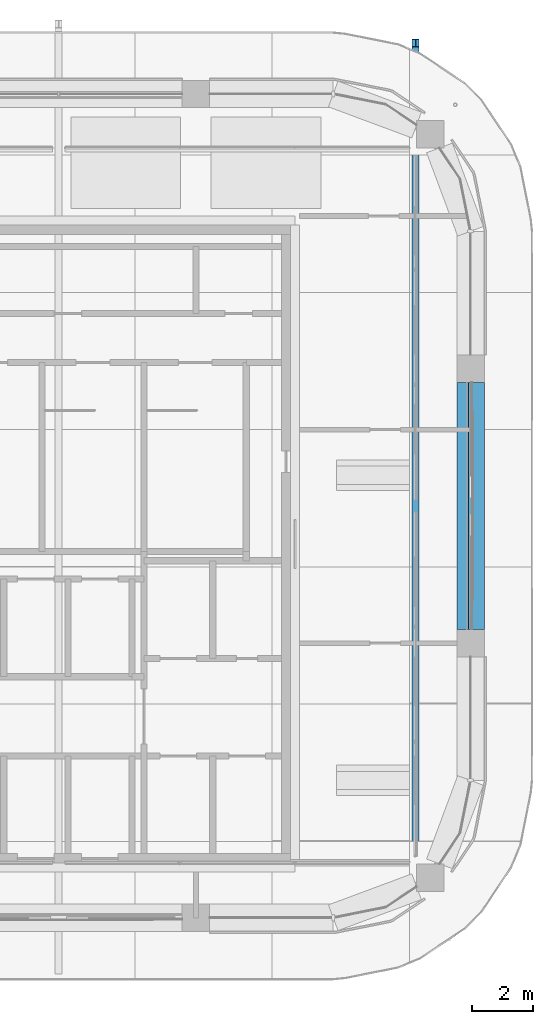
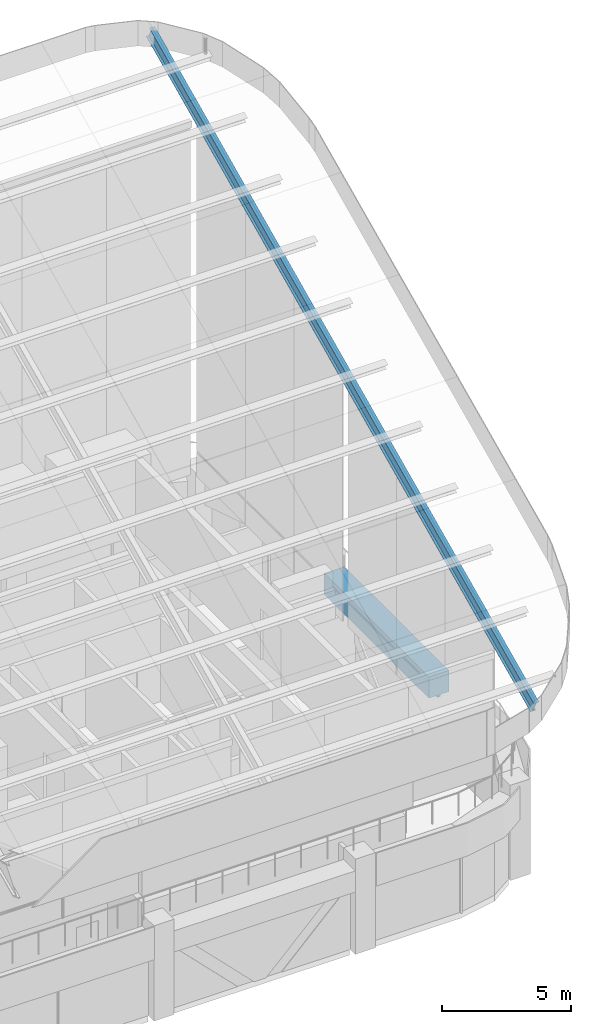
# One storey, part 18 of 31: 2 members, 1 beam, 1 element without a shape of its own.
"""IFC4 building model written with IfcOpenShell, lengths in metres."""

from ifc_helpers import new_model, si_unit, direction, frame, origin, origin_2d, place, context, subcontext, project, spatial, rectangle, i_section, extrude, material, material_profile, profile_set, type_object, element, aggregate, save


model = new_model("IFC4")

# Units and contexts
model_context = context("Model", 3, precision=1e-05, world=origin(), true_north=direction((0.0, 1.0)))
body_context = subcontext(model_context, "Body", "Model", "MODEL_VIEW")
ifc_project = project(units=[si_unit("LENGTHUNIT", "METRE"), si_unit("AREAUNIT", "SQUARE_METRE"), si_unit("VOLUMEUNIT", "CUBIC_METRE"), si_unit("PLANEANGLEUNIT", "RADIAN"), si_unit("MASSUNIT", "GRAM", prefix="KILO")], contexts=[model_context])

# Site, building, storey
site_placement = place(None, origin())
site = spatial("IfcSite", under=ifc_project, at=site_placement, CompositionType="ELEMENT")
building_placement = place(site_placement, origin())
building = spatial("IfcBuilding", under=site, at=building_placement, Name="Tessera Arch", CompositionType="ELEMENT")
storey_placement = place(building_placement, frame((0.0, 0.0, 320.699951171875)))
storey = spatial("IfcBuildingStorey", under=building, at=storey_placement, Name="L77", CompositionType="ELEMENT", Elevation=320.699951171875)

# Curtain wall, member
ifc_material_1 = material(Name="CW3 curtain wall")
curtain_wall_type = type_object("IfcCurtainWallType", Name="CW3 curtain wall", PredefinedType="NOTDEFINED", material=ifc_material_1)
curtain_wall_placement = place(storey_placement, origin())
curtain_wall = element("IfcCurtainWall", 1, at=curtain_wall_placement, inside=storey, type_object=curtain_wall_type, Name="CW3 curtain wall E54.27/0 L77", PredefinedType="NOTDEFINED")
ifc_material_2 = material(Name="Anodised aluminium pale metal", Category="aluminium")
ifc_material_profile_1 = material_profile(ifc_material_2, rectangle(XDim=0.139892578125, YDim=0.10009765625, at=origin_2d()), Name="AL 140x100")
ifc_profile_set_1 = profile_set([ifc_material_profile_1], Name="Anodised aluminium pale metal")
member_type_1 = type_object("IfcMemberType", Name="CW3 transom", PredefinedType="USERDEFINED", material=ifc_profile_set_1)
member_1_placement = place(storey_placement, frame((54.0, 36.449951171875, 2.900146484375), z_axis=(0.0, 1.0, 0.0), x_axis=(-1.0, 0.0, 0.0)))
member_1 = element("IfcMember", 2, at=member_1_placement, type_object=member_type_1, Name="CW3 transom E54.27/0 1.1", ObjectType="TRANSOM", PredefinedType="USERDEFINED", context=body_context, shape_type="SweptSolid", body=[
    extrude(rectangle(XDim=0.139892578125, YDim=0.10009765625, at=origin_2d()), origin(), (0.0, 0.0, 1.0), 8.10009765625),
])
aggregate(curtain_wall, [member_1])

# Member
ifc_material_3 = material(Name="Steel A992 Gr50", Category="steel")
ifc_material_profile_2 = material_profile(ifc_material_3, i_section(OverallWidth=0.230224609375, OverallDepth=0.617431640625, WebThickness=0.01318359375, FlangeThickness=0.022216796875, at=origin_2d()), Name="W24x94")
ifc_profile_set_2 = profile_set([ifc_material_profile_2], Name="Steel A992 Gr50")
member_type_2 = type_object("IfcMemberType", Name="Canopy rib W24x94", PredefinedType="RAFTER", material=ifc_profile_set_2)
member_2_placement = place(storey_placement, frame((52.199951171875, 25.918701171875, 9.404296875), z_axis=(0.0, 0.906306982386, 0.422619987314), x_axis=(-1.0, 0.0, 0.0)))
element("IfcMember", 3, at=member_2_placement, inside=storey, type_object=member_type_2, Name="Canopy rib 4", PredefinedType="RAFTER", context=body_context, shape_type="SweptSolid", body=[
    extrude(i_section(OverallWidth=0.230224609375, OverallDepth=0.617431640625, WebThickness=0.01318359375, FlangeThickness=0.022216796875, at=origin_2d()), origin(), (0.0, 0.0, 1.0), 32.826904296875),
])

# Beam
ifc_material_4 = material(Name="Concrete C50/60", Category="concrete")
ifc_material_profile_3 = material_profile(ifc_material_4, rectangle(XDim=0.89990234375, YDim=1.0, at=origin_2d()), Name="RC spandrel beam 900 x 1000 Concrete C50/60")
ifc_profile_set_3 = profile_set([ifc_material_profile_3], Name="Concrete C50/60")
beam_type = type_object("IfcBeamType", Name="RC spandrel beam 900 x 1000 Concrete C50/60", PredefinedType="BEAM", material=ifc_profile_set_3)
beam_placement = place(storey_placement, frame((54.0, 36.449951171875, 3.449951171875), z_axis=(0.0, 1.0, 0.0), x_axis=(-1.0, 0.0, 0.0)))
element("IfcBeam", 4, at=beam_placement, inside=storey, type_object=beam_type, Name="Spandrel beam L77 E54.27/0", PredefinedType="BEAM", context=body_context, shape_type="SweptSolid", body=[
    extrude(rectangle(XDim=0.89990234375, YDim=1.0, at=origin_2d()), origin(), (0.0, 0.0, 1.0), 8.10009765625),
])

save(model, "model.ifc")
